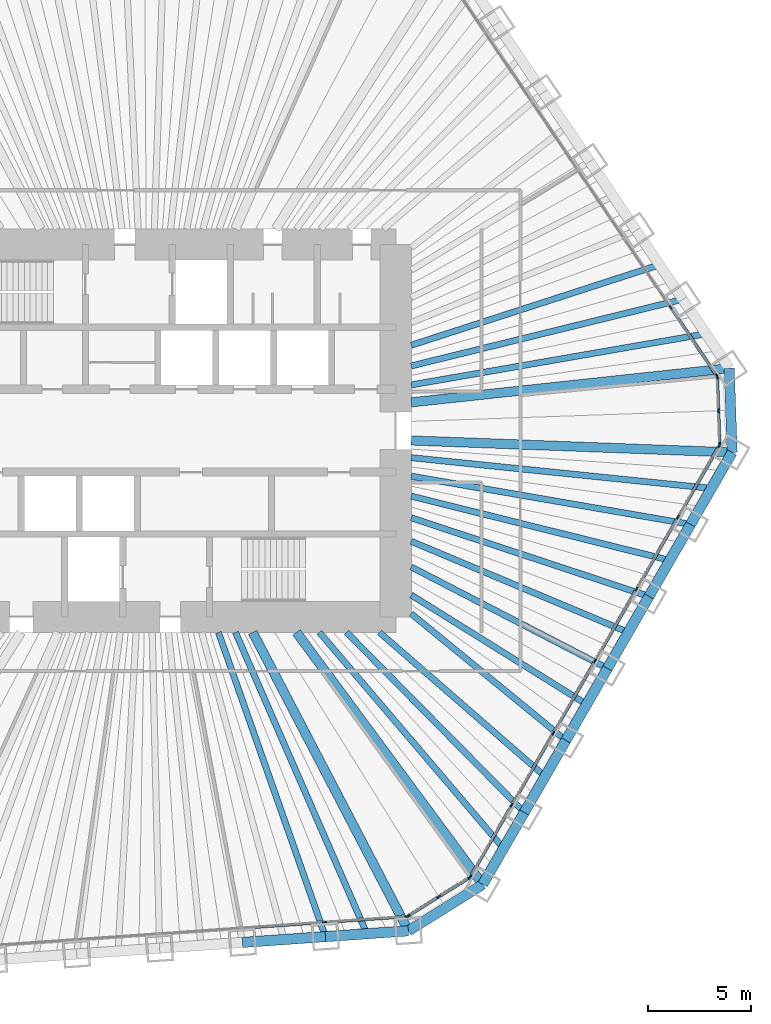
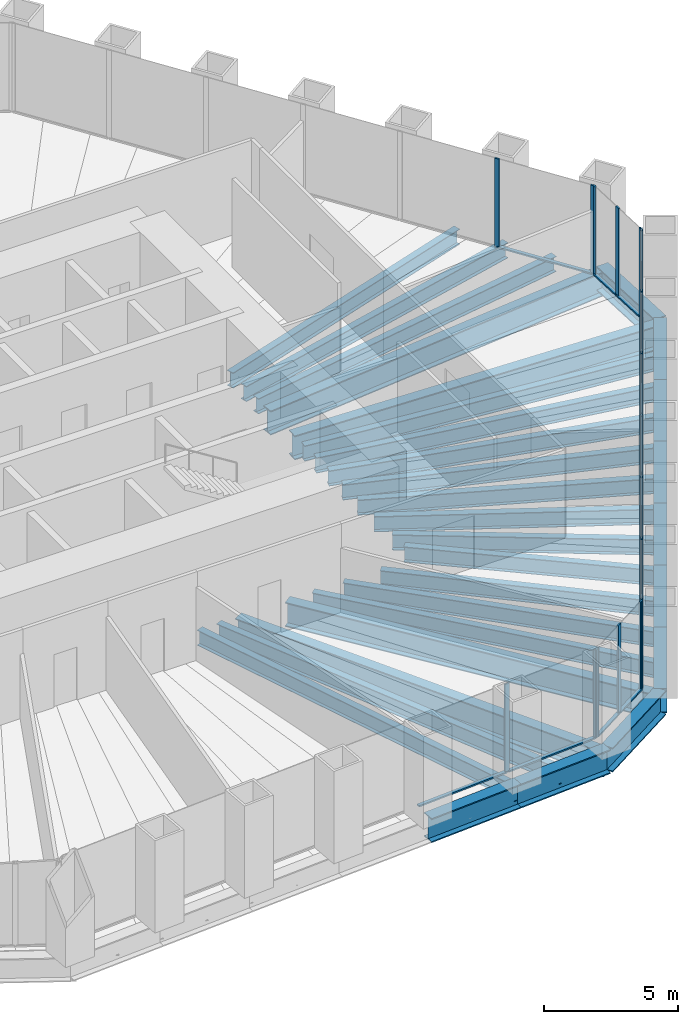
# One storey, part 4 of 13: 30 beams, 30 members, 5 elements without a shape of their own.
"""IFC4 building model written with IfcOpenShell, lengths in metres."""

from ifc_helpers import new_model, si_unit, direction, frame, origin, origin_2d, place, context, subcontext, project, spatial, rectangle, i_section, extrude, material, material_profile, profile_set, type_object, element, aggregate, save


model = new_model("IFC4")

# Units and contexts
model_context = context("Model", 3, precision=1e-05, world=origin(), true_north=direction((0.0, 1.0)))
body_context = subcontext(model_context, "Body", "Model", "MODEL_VIEW")
ifc_project = project(units=[si_unit("LENGTHUNIT", "METRE"), si_unit("AREAUNIT", "SQUARE_METRE"), si_unit("VOLUMEUNIT", "CUBIC_METRE"), si_unit("PLANEANGLEUNIT", "RADIAN"), si_unit("MASSUNIT", "GRAM", prefix="KILO")], contexts=[model_context])

# Site, building, storey
site_placement = place(None, origin())
site = spatial("IfcSite", under=ifc_project, at=site_placement, CompositionType="ELEMENT")
building_placement = place(site_placement, origin())
building = spatial("IfcBuilding", under=site, at=building_placement, Name="Qingtian Harvest Tower", CompositionType="ELEMENT")
storey_placement = place(building_placement, frame((0.0, 0.0, 115.60009765625)))
storey = spatial("IfcBuildingStorey", under=building, at=storey_placement, Name="L23", CompositionType="ELEMENT", Elevation=115.60009765625)

# Beams
ifc_material_1 = material(Name="Steel SM570MC", Category="steel")
ifc_material_profile_1 = material_profile(ifc_material_1, i_section(OverallWidth=0.449951171875, OverallDepth=1.10009765625, WebThickness=0.02197265625, FlangeThickness=0.044921875, at=origin_2d()), Name="H1100x450x22x45")
ifc_profile_set_1 = profile_set([ifc_material_profile_1], Name="Steel SM570MC")
beam_type_1 = type_object("IfcBeamType", Name="Corner floor beam FB8 H1100x450x22x45", PredefinedType="BEAM", material=ifc_profile_set_1)
beam_1_placement = place(storey_placement, frame((28.119384765625, 3.0185546875, -0.72021484375), z_axis=(-0.994287324052, -0.106736672374, 0.0), x_axis=(0.106736672374, -0.994287324052, 0.0)))
element("IfcBeam", 1, at=beam_1_placement, inside=storey, type_object=beam_type_1, Name="Floor beam FB8 NE6", PredefinedType="BEAM", context=body_context, shape_type="SweptSolid", body=[
    extrude(i_section(OverallWidth=0.449951171875, OverallDepth=1.10009765625, WebThickness=0.02197265625, FlangeThickness=0.044921875, at=origin_2d()), origin(), (0.0, 0.0, 1.0), 15.457763671875),
])
beam_2_placement = place(storey_placement, frame((28.261474609375, -1.049560546875, -0.72021484375), z_axis=(-0.999311425285, 0.03710357523, 0.0), x_axis=(-0.03710357523, -0.999311425285, 0.0)))
element("IfcBeam", 2, at=beam_2_placement, inside=storey, type_object=beam_type_1, Name="Floor beam FB8 SE0", PredefinedType="BEAM", context=body_context, shape_type="SweptSolid", body=[
    extrude(i_section(OverallWidth=0.449951171875, OverallDepth=1.10009765625, WebThickness=0.02197265625, FlangeThickness=0.044921875, at=origin_2d()), origin(), (0.0, 0.0, 1.0), 15.522216796875),
])
beam_3_placement = place(storey_placement, frame((16.204345703125, -21.933349609375, -0.72021484375), z_axis=(-0.594215666968, 0.804305751023, 0.0), x_axis=(-0.804305751023, -0.594215666968, 0.0)))
element("IfcBeam", 3, at=beam_3_placement, inside=storey, type_object=beam_type_1, Name="Floor beam FB8 SE6", PredefinedType="BEAM", context=body_context, shape_type="SweptSolid", body=[
    extrude(i_section(OverallWidth=0.449951171875, OverallDepth=1.10009765625, WebThickness=0.02197265625, FlangeThickness=0.044921875, at=origin_2d()), origin(), (0.0, 0.0, 1.0), 15.147705078125),
])
beam_4_placement = place(storey_placement, frame((12.610107421875, -24.17919921875, -0.72021484375), z_axis=(-0.462414751295, 0.886663745613, 0.0), x_axis=(-0.886663745613, -0.462414751295, 0.0)))
element("IfcBeam", 4, at=beam_4_placement, inside=storey, type_object=beam_type_1, Name="Floor beam FB8 S0", PredefinedType="BEAM", context=body_context, shape_type="SweptSolid", body=[
    extrude(i_section(OverallWidth=0.449951171875, OverallDepth=1.10009765625, WebThickness=0.02197265625, FlangeThickness=0.044921875, at=origin_2d()), origin(), (0.0, 0.0, 1.0), 16.273681640625),
])
ifc_material_2 = material(Name="Steel SN490B", Category="steel")
ifc_material_profile_2 = material_profile(ifc_material_2, i_section(OverallWidth=0.300048828125, OverallDepth=0.699951171875, WebThickness=0.012939453125, FlangeThickness=0.02392578125, at=origin_2d()), Name="H700x300x13x24")
ifc_profile_set_2 = profile_set([ifc_material_profile_2], Name="Steel SN490B")
beam_type_2 = type_object("IfcBeamType", Name="Floor beam FB2 H700x300x13x24", PredefinedType="BEAM", material=ifc_profile_set_2)
beam_5_placement = place(storey_placement, frame((25.8720703125, 6.3505859375, -0.52001953125), z_axis=(-0.971170997483, -0.2383839207, 0.0), x_axis=(0.2383839207, -0.971170997483, 0.0)))
element("IfcBeam", 5, at=beam_5_placement, inside=storey, type_object=beam_type_2, Name="Floor beam FB2 NE5", PredefinedType="BEAM", context=body_context, shape_type="SweptSolid", body=[
    extrude(i_section(OverallWidth=0.300048828125, OverallDepth=0.699951171875, WebThickness=0.012939453125, FlangeThickness=0.02392578125, at=origin_2d()), origin(), (0.0, 0.0, 1.0), 13.511474609375),
])
beam_6_placement = place(storey_placement, frame((26.251953125, -4.5302734375, -0.52001953125), z_axis=(-0.985433767107, 0.170059667895, 0.0), x_axis=(-0.170059667895, -0.985433767107, 0.0)))
element("IfcBeam", 6, at=beam_6_placement, inside=storey, type_object=beam_type_2, Name="Floor beam FB2 SE1", PredefinedType="BEAM", context=body_context, shape_type="SweptSolid", body=[
    extrude(i_section(OverallWidth=0.300048828125, OverallDepth=0.699951171875, WebThickness=0.012939453125, FlangeThickness=0.02392578125, at=origin_2d()), origin(), (0.0, 0.0, 1.0), 13.701416015625),
])
beam_7_placement = place(storey_placement, frame((24.242431640625, -8.010986328125, -0.52001953125), z_axis=(-0.949497047328, 0.31377596644, 0.0), x_axis=(-0.31377596644, -0.949497047328, 0.0)))
element("IfcBeam", 7, at=beam_7_placement, inside=storey, type_object=beam_type_2, Name="Floor beam FB2 SE2", PredefinedType="BEAM", context=body_context, shape_type="SweptSolid", body=[
    extrude(i_section(OverallWidth=0.300048828125, OverallDepth=0.699951171875, WebThickness=0.012939453125, FlangeThickness=0.02392578125, at=origin_2d()), origin(), (0.0, 0.0, 1.0), 12.103759765625),
])
beam_8_placement = place(storey_placement, frame((22.23291015625, -11.491455078125, -0.52001953125), z_axis=(-0.888354700773, 0.459157843899, 0.0), x_axis=(-0.459157843899, -0.888354700773, 0.0)))
element("IfcBeam", 8, at=beam_8_placement, inside=storey, type_object=beam_type_2, Name="Floor beam FB2 SE3", PredefinedType="BEAM", context=body_context, shape_type="SweptSolid", body=[
    extrude(i_section(OverallWidth=0.300048828125, OverallDepth=0.699951171875, WebThickness=0.012939453125, FlangeThickness=0.02392578125, at=origin_2d()), origin(), (0.0, 0.0, 1.0), 10.6748046875),
])
beam_9_placement = place(storey_placement, frame((20.223388671875, -14.97216796875, -0.52001953125), z_axis=(-0.773577716445, 0.633701441233, 0.0), x_axis=(-0.633701441233, -0.773577716445, 0.0)))
element("IfcBeam", 9, at=beam_9_placement, inside=storey, type_object=beam_type_2, Name="Floor beam FB2 SE4", PredefinedType="BEAM", context=body_context, shape_type="SweptSolid", body=[
    extrude(i_section(OverallWidth=0.300048828125, OverallDepth=0.699951171875, WebThickness=0.012939453125, FlangeThickness=0.02392578125, at=origin_2d()), origin(), (0.0, 0.0, 1.0), 9.660888671875),
])
beam_10_placement = place(storey_placement, frame((18.2138671875, -18.452880859375, -0.52001953125), z_axis=(-0.702479751847, 0.711703729262, 0.0), x_axis=(-0.711703729262, -0.702479751847, 0.0)))
element("IfcBeam", 10, at=beam_10_placement, inside=storey, type_object=beam_type_2, Name="Floor beam FB2 SE5", PredefinedType="BEAM", context=body_context, shape_type="SweptSolid", body=[
    extrude(i_section(OverallWidth=0.300048828125, OverallDepth=0.699951171875, WebThickness=0.012939453125, FlangeThickness=0.02392578125, at=origin_2d()), origin(), (0.0, 0.0, 1.0), 12.228271484375),
])
beam_11_placement = place(storey_placement, frame((8.600830078125, -24.459716796875, -0.52001953125), z_axis=(-0.331719146802, 0.943378189087, 0.0), x_axis=(-0.943378189087, -0.331719146802, 0.0)))
element("IfcBeam", 11, at=beam_11_placement, inside=storey, type_object=beam_type_2, Name="Floor beam FB2 S1", PredefinedType="BEAM", context=body_context, shape_type="SweptSolid", body=[
    extrude(i_section(OverallWidth=0.300048828125, OverallDepth=0.699951171875, WebThickness=0.012939453125, FlangeThickness=0.02392578125, at=origin_2d()), origin(), (0.0, 0.0, 1.0), 15.592529296875),
])
ifc_material_3 = material(Name="Steel SN490B", Category="steel")
ifc_material_profile_3 = material_profile(ifc_material_3, i_section(OverallWidth=0.300048828125, OverallDepth=0.699951171875, WebThickness=0.012939453125, FlangeThickness=0.02392578125, at=origin_2d()), Name="H700x300x13x24")
ifc_profile_set_3 = profile_set([ifc_material_profile_3], Name="Steel SN490B")
beam_type_3 = type_object("IfcBeamType", Name="Floor joist J2 H700x300x13x24", PredefinedType="JOIST", material=ifc_profile_set_3)
beam_12_placement = place(storey_placement, frame((24.748291015625, 8.016357421875, -0.52001953125), z_axis=(-0.951335907519, -0.308155790249, 0.0), x_axis=(0.308155790249, -0.951335907519, 0.0)))
element("IfcBeam", 12, at=beam_12_placement, inside=storey, type_object=beam_type_3, Name="Floor joist J2 NE4", PredefinedType="JOIST", context=body_context, shape_type="SweptSolid", body=[
    extrude(i_section(OverallWidth=0.300048828125, OverallDepth=0.699951171875, WebThickness=0.012939453125, FlangeThickness=0.02392578125, at=origin_2d()), origin(), (0.0, 0.0, 1.0), 12.612060546875),
])
beam_13_placement = place(storey_placement, frame((26.99560546875, 4.6845703125, -0.52001953125), z_axis=(-0.985273903188, -0.17098343691, 0.0), x_axis=(0.17098343691, -0.985273903188, 0.0)))
element("IfcBeam", 13, at=beam_13_placement, inside=storey, type_object=beam_type_3, Name="Floor joist J2 NE5", PredefinedType="JOIST", context=body_context, shape_type="SweptSolid", body=[
    extrude(i_section(OverallWidth=0.300048828125, OverallDepth=0.699951171875, WebThickness=0.012939453125, FlangeThickness=0.02392578125, at=origin_2d()), origin(), (0.0, 0.0, 1.0), 14.45849609375),
])
beam_14_placement = place(storey_placement, frame((27.2568359375, -2.7900390625, -0.52001953125), z_axis=(-0.994802418411, 0.101824104826, 0.0), x_axis=(-0.101824104826, -0.994802418411, 0.0)))
element("IfcBeam", 14, at=beam_14_placement, inside=storey, type_object=beam_type_3, Name="Floor joist J2 SE0", PredefinedType="JOIST", context=body_context, shape_type="SweptSolid", body=[
    extrude(i_section(OverallWidth=0.300048828125, OverallDepth=0.699951171875, WebThickness=0.012939453125, FlangeThickness=0.02392578125, at=origin_2d()), origin(), (0.0, 0.0, 1.0), 14.58251953125),
])
beam_15_placement = place(storey_placement, frame((25.247314453125, -6.2705078125, -0.52001953125), z_axis=(-0.970517179244, 0.241031958032, 0.0), x_axis=(-0.241031958032, -0.970517179244, 0.0)))
element("IfcBeam", 15, at=beam_15_placement, inside=storey, type_object=beam_type_3, Name="Floor joist J2 SE1", PredefinedType="JOIST", context=body_context, shape_type="SweptSolid", body=[
    extrude(i_section(OverallWidth=0.300048828125, OverallDepth=0.699951171875, WebThickness=0.012939453125, FlangeThickness=0.02392578125, at=origin_2d()), origin(), (0.0, 0.0, 1.0), 12.876953125),
])
beam_16_placement = place(storey_placement, frame((23.237548828125, -9.751220703125, -0.52001953125), z_axis=(-0.922104219626, 0.386941608189, 0.0), x_axis=(-0.386941608189, -0.922104219626, 0.0)))
element("IfcBeam", 16, at=beam_16_placement, inside=storey, type_object=beam_type_3, Name="Floor joist J2 SE2", PredefinedType="JOIST", context=body_context, shape_type="SweptSolid", body=[
    extrude(i_section(OverallWidth=0.300048828125, OverallDepth=0.699951171875, WebThickness=0.012939453125, FlangeThickness=0.02392578125, at=origin_2d()), origin(), (0.0, 0.0, 1.0), 11.37353515625),
])
beam_17_placement = place(storey_placement, frame((21.22802734375, -13.23193359375, -0.52001953125), z_axis=(-0.848631984892, 0.528983699389, 0.0), x_axis=(-0.528983699389, -0.848631984892, 0.0)))
element("IfcBeam", 17, at=beam_17_placement, inside=storey, type_object=beam_type_3, Name="Floor joist J2 SE3", PredefinedType="JOIST", context=body_context, shape_type="SweptSolid", body=[
    extrude(i_section(OverallWidth=0.300048828125, OverallDepth=0.699951171875, WebThickness=0.012939453125, FlangeThickness=0.02392578125, at=origin_2d()), origin(), (0.0, 0.0, 1.0), 9.990234375),
])
beam_18_placement = place(storey_placement, frame((19.218505859375, -16.71240234375, -0.52001953125), z_axis=(-0.754588679317, 0.656198083697, 0.0), x_axis=(-0.656198083697, -0.754588679317, 0.0)))
element("IfcBeam", 18, at=beam_18_placement, inside=storey, type_object=beam_type_3, Name="Floor joist J2 SE4", PredefinedType="JOIST", context=body_context, shape_type="SweptSolid", body=[
    extrude(i_section(OverallWidth=0.300048828125, OverallDepth=0.699951171875, WebThickness=0.012939453125, FlangeThickness=0.02392578125, at=origin_2d()), origin(), (0.0, 0.0, 1.0), 10.610107421875),
])
beam_19_placement = place(storey_placement, frame((17.208984375, -20.193115234375, -0.52001953125), z_axis=(-0.648631797865, 0.76110235238, 0.0), x_axis=(-0.76110235238, -0.648631797865, 0.0)))
element("IfcBeam", 19, at=beam_19_placement, inside=storey, type_object=beam_type_3, Name="Floor joist J2 SE5", PredefinedType="JOIST", context=body_context, shape_type="SweptSolid", body=[
    extrude(i_section(OverallWidth=0.300048828125, OverallDepth=0.699951171875, WebThickness=0.012939453125, FlangeThickness=0.02392578125, at=origin_2d()), origin(), (0.0, 0.0, 1.0), 13.720947265625),
])
beam_20_placement = place(storey_placement, frame((10.60546875, -24.3193359375, -0.52001953125), z_axis=(-0.399732363577, 0.916631898588, 0.0), x_axis=(-0.916631898588, -0.399732363577, 0.0)))
element("IfcBeam", 20, at=beam_20_placement, inside=storey, type_object=beam_type_3, Name="Floor joist J2 S0", PredefinedType="JOIST", context=body_context, shape_type="SweptSolid", body=[
    extrude(i_section(OverallWidth=0.300048828125, OverallDepth=0.699951171875, WebThickness=0.012939453125, FlangeThickness=0.02392578125, at=origin_2d()), origin(), (0.0, 0.0, 1.0), 15.89453125),
])

# Curtain wall, members
ifc_material_4 = material(Name="Bronze-anodised aluminium curtain wall", Category="aluminium")
curtain_wall_type = type_object("IfcCurtainWallType", Name="Curtain wall CW4 office", PredefinedType="USERDEFINED", material=ifc_material_4)
curtain_wall_1_placement = place(storey_placement, origin())
curtain_wall_1 = element("IfcCurtainWall", 21, at=curtain_wall_1_placement, inside=storey, type_object=curtain_wall_type, Name="Curtain wall CW4 L23 NE0-5", ObjectType="RECESSED CURTAIN WALL", PredefinedType="USERDEFINED")
ifc_material_5 = material(Name="Bronze-anodised aluminium mullion", Category="aluminium")
ifc_material_profile_4 = material_profile(ifc_material_5, rectangle(XDim=0.06494140625, YDim=0.199951171875, at=origin_2d()), Name="AL 65x200")
ifc_profile_set_4 = profile_set([ifc_material_profile_4], Name="Bronze-anodised aluminium mullion")
member_type_1 = type_object("IfcMemberType", Name="Mullion CWM 65x200", PredefinedType="MULLION", material=ifc_profile_set_4)
member_1_placement = place(storey_placement, frame((25.291748046875, 5.958984375, 0.0), z_axis=(0.0, 0.0, 1.0), x_axis=(0.829037572555, 0.559192903471, 0.0)))
member_1 = element("IfcMember", 22, at=member_1_placement, type_object=member_type_1, Name="CW4 mullion 6", PredefinedType="MULLION", context=body_context, shape_type="SweptSolid", body=[
    extrude(rectangle(XDim=0.06494140625, YDim=0.199951171875, at=origin_2d()), origin(), (0.0, 0.0, 1.0), 4.02978515625),
])
member_2_placement = place(storey_placement, frame((27.52099609375, 2.654052734375, 0.0), z_axis=(0.0, 0.0, 1.0), x_axis=(0.829037572555, 0.559192903471, 0.0)))
member_2 = element("IfcMember", 23, at=member_2_placement, type_object=member_type_1, Name="CW4 mullion 7", PredefinedType="MULLION", context=body_context, shape_type="SweptSolid", body=[
    extrude(rectangle(XDim=0.06494140625, YDim=0.199951171875, at=origin_2d()), origin(), (0.0, 0.0, 1.0), 4.02978515625),
])

curtain_wall_2_placement = place(storey_placement, origin())
curtain_wall_2 = element("IfcCurtainWall", 24, at=curtain_wall_2_placement, inside=storey, type_object=curtain_wall_type, Name="Curtain wall CW4 L23 NEC", ObjectType="RECESSED CURTAIN WALL", PredefinedType="USERDEFINED")
member_3_placement = place(storey_placement, frame((27.540283203125, 2.594482421875, 0.0), z_axis=(0.0, 0.0, 1.0), x_axis=(0.999390827019, 0.034899496703, 0.0)))
member_3 = element("IfcMember", 25, at=member_3_placement, type_object=member_type_1, Name="CW4 mullion 1", PredefinedType="MULLION", context=body_context, shape_type="SweptSolid", body=[
    extrude(rectangle(XDim=0.06494140625, YDim=0.199951171875, at=origin_2d()), origin(), (0.0, 0.0, 1.0), 4.02978515625),
])
member_4_placement = place(storey_placement, frame((27.59716796875, 0.963623046875, 0.0), z_axis=(0.0, 0.0, 1.0), x_axis=(0.999390827019, 0.034899496703, 0.0)))
member_4 = element("IfcMember", 26, at=member_4_placement, type_object=member_type_1, Name="CW4 mullion 2", PredefinedType="MULLION", context=body_context, shape_type="SweptSolid", body=[
    extrude(rectangle(XDim=0.06494140625, YDim=0.199951171875, at=origin_2d()), origin(), (0.0, 0.0, 1.0), 4.02978515625),
])
member_5_placement = place(storey_placement, frame((27.654052734375, -0.667236328125, 0.0), z_axis=(0.0, 0.0, 1.0), x_axis=(0.999390827019, 0.034899496703, 0.0)))
member_5 = element("IfcMember", 27, at=member_5_placement, type_object=member_type_1, Name="CW4 mullion 3", PredefinedType="MULLION", context=body_context, shape_type="SweptSolid", body=[
    extrude(rectangle(XDim=0.06494140625, YDim=0.199951171875, at=origin_2d()), origin(), (0.0, 0.0, 1.0), 4.02978515625),
])

curtain_wall_3_placement = place(storey_placement, origin())
curtain_wall_3 = element("IfcCurtainWall", 28, at=curtain_wall_3_placement, inside=storey, type_object=curtain_wall_type, Name="Curtain wall CW4 L23 SE0-5", ObjectType="RECESSED CURTAIN WALL", PredefinedType="USERDEFINED")
member_6_placement = place(storey_placement, frame((27.638916015625, -0.727783203125, 0.0), z_axis=(0.0, 0.0, 1.0), x_axis=(0.866025403784, -0.5, 0.0)))
member_6 = element("IfcMember", 29, at=member_6_placement, type_object=member_type_1, Name="CW4 mullion 1", PredefinedType="MULLION", context=body_context, shape_type="SweptSolid", body=[
    extrude(rectangle(XDim=0.06494140625, YDim=0.199951171875, at=origin_2d()), origin(), (0.0, 0.0, 1.0), 4.02978515625),
])
member_7_placement = place(storey_placement, frame((25.645751953125, -4.18017578125, 0.0), z_axis=(0.0, 0.0, 1.0), x_axis=(0.866025403784, -0.5, 0.0)))
member_7 = element("IfcMember", 30, at=member_7_placement, type_object=member_type_1, Name="CW4 mullion 2", PredefinedType="MULLION", context=body_context, shape_type="SweptSolid", body=[
    extrude(rectangle(XDim=0.06494140625, YDim=0.199951171875, at=origin_2d()), origin(), (0.0, 0.0, 1.0), 4.02978515625),
])
member_8_placement = place(storey_placement, frame((23.63623046875, -7.660888671875, 0.0), z_axis=(0.0, 0.0, 1.0), x_axis=(0.866025403784, -0.5, 0.0)))
member_8 = element("IfcMember", 31, at=member_8_placement, type_object=member_type_1, Name="CW4 mullion 3", PredefinedType="MULLION", context=body_context, shape_type="SweptSolid", body=[
    extrude(rectangle(XDim=0.06494140625, YDim=0.199951171875, at=origin_2d()), origin(), (0.0, 0.0, 1.0), 4.02978515625),
])
member_9_placement = place(storey_placement, frame((21.626708984375, -11.1416015625, 0.0), z_axis=(0.0, 0.0, 1.0), x_axis=(0.866025403784, -0.5, 0.0)))
member_9 = element("IfcMember", 32, at=member_9_placement, type_object=member_type_1, Name="CW4 mullion 4", PredefinedType="MULLION", context=body_context, shape_type="SweptSolid", body=[
    extrude(rectangle(XDim=0.06494140625, YDim=0.199951171875, at=origin_2d()), origin(), (0.0, 0.0, 1.0), 4.02978515625),
])
member_10_placement = place(storey_placement, frame((19.6171875, -14.6220703125, 0.0), z_axis=(0.0, 0.0, 1.0), x_axis=(0.866025403784, -0.5, 0.0)))
member_10 = element("IfcMember", 33, at=member_10_placement, type_object=member_type_1, Name="CW4 mullion 5", PredefinedType="MULLION", context=body_context, shape_type="SweptSolid", body=[
    extrude(rectangle(XDim=0.06494140625, YDim=0.199951171875, at=origin_2d()), origin(), (0.0, 0.0, 1.0), 4.02978515625),
])
member_11_placement = place(storey_placement, frame((17.607666015625, -18.102783203125, 0.0), z_axis=(0.0, 0.0, 1.0), x_axis=(0.866025403784, -0.5, 0.0)))
member_11 = element("IfcMember", 34, at=member_11_placement, type_object=member_type_1, Name="CW4 mullion 6", PredefinedType="MULLION", context=body_context, shape_type="SweptSolid", body=[
    extrude(rectangle(XDim=0.06494140625, YDim=0.199951171875, at=origin_2d()), origin(), (0.0, 0.0, 1.0), 4.02978515625),
])
member_12_placement = place(storey_placement, frame((15.6142578125, -21.55517578125, 0.0), z_axis=(0.0, 0.0, 1.0), x_axis=(0.866025403784, -0.5, 0.0)))
member_12 = element("IfcMember", 35, at=member_12_placement, type_object=member_type_1, Name="CW4 mullion 7", PredefinedType="MULLION", context=body_context, shape_type="SweptSolid", body=[
    extrude(rectangle(XDim=0.06494140625, YDim=0.199951171875, at=origin_2d()), origin(), (0.0, 0.0, 1.0), 4.02978515625),
])

curtain_wall_4_placement = place(storey_placement, origin())
curtain_wall_4 = element("IfcCurtainWall", 36, at=curtain_wall_4_placement, inside=storey, type_object=curtain_wall_type, Name="Curtain wall CW4 L23 SEC", ObjectType="RECESSED CURTAIN WALL", PredefinedType="USERDEFINED")
member_13_placement = place(storey_placement, frame((15.570556640625, -21.6005859375, 0.0), z_axis=(0.0, 0.0, 1.0), x_axis=(0.529919264233, -0.848048096156, 0.0)))
member_13 = element("IfcMember", 37, at=member_13_placement, type_object=member_type_1, Name="CW4 mullion 1", PredefinedType="MULLION", context=body_context, shape_type="SweptSolid", body=[
    extrude(rectangle(XDim=0.06494140625, YDim=0.199951171875, at=origin_2d()), origin(), (0.0, 0.0, 1.0), 4.02978515625),
])
member_14_placement = place(storey_placement, frame((14.07958984375, -22.5322265625, 0.0), z_axis=(0.0, 0.0, 1.0), x_axis=(0.529919264233, -0.848048096156, 0.0)))
member_14 = element("IfcMember", 38, at=member_14_placement, type_object=member_type_1, Name="CW4 mullion 2", PredefinedType="MULLION", context=body_context, shape_type="SweptSolid", body=[
    extrude(rectangle(XDim=0.06494140625, YDim=0.199951171875, at=origin_2d()), origin(), (0.0, 0.0, 1.0), 4.02978515625),
])
member_15_placement = place(storey_placement, frame((12.5888671875, -23.4638671875, 0.0), z_axis=(0.0, 0.0, 1.0), x_axis=(0.529919264233, -0.848048096156, 0.0)))
member_15 = element("IfcMember", 39, at=member_15_placement, type_object=member_type_1, Name="CW4 mullion 3", PredefinedType="MULLION", context=body_context, shape_type="SweptSolid", body=[
    extrude(rectangle(XDim=0.06494140625, YDim=0.199951171875, at=origin_2d()), origin(), (0.0, 0.0, 1.0), 4.02978515625),
])

curtain_wall_5_placement = place(storey_placement, origin())
curtain_wall_5 = element("IfcCurtainWall", 40, at=curtain_wall_5_placement, inside=storey, type_object=curtain_wall_type, Name="Curtain wall CW4 L23 S0-5", ObjectType="RECESSED CURTAIN WALL", PredefinedType="USERDEFINED")
member_16_placement = place(storey_placement, frame((12.52880859375, -23.483154296875, 0.0), z_axis=(0.0, 0.0, 1.0), x_axis=(0.069756473744, -0.99756405026, 0.0)))
member_16 = element("IfcMember", 41, at=member_16_placement, type_object=member_type_1, Name="CW4 mullion 1", PredefinedType="MULLION", context=body_context, shape_type="SweptSolid", body=[
    extrude(rectangle(XDim=0.06494140625, YDim=0.199951171875, at=origin_2d()), origin(), (0.0, 0.0, 1.0), 4.02978515625),
])
member_17_placement = place(storey_placement, frame((8.552001953125, -23.76123046875, 0.0), z_axis=(0.0, 0.0, 1.0), x_axis=(0.069756473744, -0.99756405026, 0.0)))
member_17 = element("IfcMember", 42, at=member_17_placement, type_object=member_type_1, Name="CW4 mullion 2", PredefinedType="MULLION", context=body_context, shape_type="SweptSolid", body=[
    extrude(rectangle(XDim=0.06494140625, YDim=0.199951171875, at=origin_2d()), origin(), (0.0, 0.0, 1.0), 4.02978515625),
])

# Beams
ifc_material_6 = material(Name="Steel SM570MC", Category="steel")
ifc_material_profile_5 = material_profile(ifc_material_6, i_section(OverallWidth=0.5, OverallDepth=1.10009765625, WebThickness=0.02490234375, FlangeThickness=0.050048828125, at=origin_2d()), Name="H1100x500x25x50")
ifc_profile_set_5 = profile_set([ifc_material_profile_5], Name="Steel SM570MC")
beam_type_4 = type_object("IfcBeamType", Name="Spandrel beam SB2 H1100x500x25x50", PredefinedType="SPANDREL", material=ifc_profile_set_5)
beam_21_placement = place(storey_placement, frame((28.119384765625, 3.0185546875, -0.550048828125), z_axis=(0.03490639867, -0.999390585973, 0.0), x_axis=(0.999390585973, 0.03490639867, 0.0)))
element("IfcBeam", 43, at=beam_21_placement, inside=storey, type_object=beam_type_4, Name="Spandrel SB2 NEC", PredefinedType="SPANDREL", context=body_context, shape_type="SweptSolid", body=[
    extrude(i_section(OverallWidth=0.5, OverallDepth=1.10009765625, WebThickness=0.02490234375, FlangeThickness=0.050048828125, at=origin_2d()), origin(), (0.0, 0.0, 1.0), 4.070556640625),
])
for number, where, z_axis, x_axis, name in (
    (44, (28.261474609375, -1.049560546875, -0.550048828125), (-0.499987116613, -0.866032841884, 0.0), (0.866032841884, -0.499987116613, 0.0), "Spandrel SB2 SE0"),
    (45, (26.251953125, -4.5302734375, -0.550048828125), (-0.499987116613, -0.866032841884, 0.0), (0.866032841884, -0.499987116613, 0.0), "Spandrel SB2 SE1"),
    (46, (24.242431640625, -8.010986328125, -0.550048828125), (-0.500013420409, -0.866017655369, 0.0), (0.866017655369, -0.500013420409, 0.0), "Spandrel SB2 SE2"),
    (47, (22.23291015625, -11.491455078125, -0.550048828125), (-0.499987116613, -0.866032841884, 0.0), (0.866032841884, -0.499987116613, 0.0), "Spandrel SB2 SE3"),
    (48, (20.223388671875, -14.97216796875, -0.550048828125), (-0.499987116613, -0.866032841884, 0.0), (0.866032841884, -0.499987116613, 0.0), "Spandrel SB2 SE4"),
    (49, (18.2138671875, -18.452880859375, -0.550048828125), (-0.500013420409, -0.866017655369, 0.0), (0.866017655369, -0.500013420409, 0.0), "Spandrel SB2 SE5"),
):
    element("IfcBeam", number, at=place(storey_placement, frame(where, z_axis=z_axis, x_axis=x_axis)), inside=storey, type_object=beam_type_4, Name=name, PredefinedType="SPANDREL", context=body_context, shape_type="SweptSolid", body=[
        extrude(i_section(OverallWidth=0.5, OverallDepth=1.10009765625, WebThickness=0.02490234375, FlangeThickness=0.050048828125, at=origin_2d()), origin(), (0.0, 0.0, 1.0), 4.01904296875),
    ])
beam_22_placement = place(storey_placement, frame((16.204345703125, -21.933349609375, -0.550048828125), z_axis=(-0.848056550838, -0.529905733675, 0.0), x_axis=(0.529905733675, -0.848056550838, 0.0)))
element("IfcBeam", 50, at=beam_22_placement, inside=storey, type_object=beam_type_4, Name="Spandrel SB2 SEC", PredefinedType="SPANDREL", context=body_context, shape_type="SweptSolid", body=[
    extrude(i_section(OverallWidth=0.5, OverallDepth=1.10009765625, WebThickness=0.02490234375, FlangeThickness=0.050048828125, at=origin_2d()), origin(), (0.0, 0.0, 1.0), 4.23828125),
])
for number, where, z_axis, x_axis, name in (
    (51, (12.610107421875, -24.17919921875, -0.550048828125), (-0.997561251588, -0.069796485086, 0.0), (0.069796485086, -0.997561251588, 0.0), "Spandrel SB2 S0"),
    (52, (8.600830078125, -24.459716796875, -0.550048828125), (-0.997565479251, -0.069736035208, 0.0), (0.069736035208, -0.997565479251, 0.0), "Spandrel SB2 S1"),
):
    element("IfcBeam", number, at=place(storey_placement, frame(where, z_axis=z_axis, x_axis=x_axis)), inside=storey, type_object=beam_type_4, Name=name, PredefinedType="SPANDREL", context=body_context, shape_type="SweptSolid", body=[
        extrude(i_section(OverallWidth=0.5, OverallDepth=1.10009765625, WebThickness=0.02490234375, FlangeThickness=0.050048828125, at=origin_2d()), origin(), (0.0, 0.0, 1.0), 4.01904296875),
    ])

# Member
ifc_material_7 = material(Name="Bronze-anodised aluminium transom", Category="aluminium")
ifc_material_profile_6 = material_profile(ifc_material_7, rectangle(XDim=0.14990234375, YDim=0.06494140625, at=origin_2d()), Name="AL 65x150")
ifc_profile_set_6 = profile_set([ifc_material_profile_6], Name="Bronze-anodised aluminium transom")
member_type_2 = type_object("IfcMemberType", Name="Transom CWT 65x150", PredefinedType="USERDEFINED", material=ifc_profile_set_6)
member_18_placement = place(storey_placement, frame((25.309814453125, 5.93212890625, 0.032470703125), z_axis=(0.559174507936, -0.829049980203, 0.0), x_axis=(0.829049980203, 0.559174507936, 0.0)))
member_18 = element("IfcMember", 53, at=member_18_placement, type_object=member_type_2, Name="CW4 transom 6.1", ObjectType="TRANSOM", PredefinedType="USERDEFINED", context=body_context, shape_type="SweptSolid", body=[
    extrude(rectangle(XDim=0.14990234375, YDim=0.06494140625, at=origin_2d()), origin(), (0.0, 0.0, 1.0), 3.921630859375),
])

aggregate(curtain_wall_1, [member_1, member_2, member_18])

member_19_placement = place(storey_placement, frame((27.541259765625, 2.56201171875, 0.032470703125), z_axis=(0.034902326647, -0.999390728191, 0.0), x_axis=(0.999390728191, 0.034902326647, 0.0)))
member_19 = element("IfcMember", 54, at=member_19_placement, type_object=member_type_2, Name="CW4 transom 1.1", ObjectType="TRANSOM", PredefinedType="USERDEFINED", context=body_context, shape_type="SweptSolid", body=[
    extrude(rectangle(XDim=0.14990234375, YDim=0.06494140625, at=origin_2d()), origin(), (0.0, 0.0, 1.0), 1.56689453125),
])

member_20_placement = place(storey_placement, frame((27.598388671875, 0.93115234375, 0.032470703125), z_axis=(0.034902326647, -0.999390728191, 0.0), x_axis=(0.999390728191, 0.034902326647, 0.0)))
member_20 = element("IfcMember", 55, at=member_20_placement, type_object=member_type_2, Name="CW4 transom 2.1", ObjectType="TRANSOM", PredefinedType="USERDEFINED", context=body_context, shape_type="SweptSolid", body=[
    extrude(rectangle(XDim=0.14990234375, YDim=0.06494140625, at=origin_2d()), origin(), (0.0, 0.0, 1.0), 1.56689453125),
])

aggregate(curtain_wall_2, [member_3, member_4, member_5, member_19, member_20])

member_21_placement = place(storey_placement, frame((27.622802734375, -0.755859375, 0.032470703125), z_axis=(-0.499975738995, -0.866039410429, 0.0), x_axis=(0.866039410429, -0.499975738995, 0.0)))
member_21 = element("IfcMember", 56, at=member_21_placement, type_object=member_type_2, Name="CW4 transom 1.1", ObjectType="TRANSOM", PredefinedType="USERDEFINED", context=body_context, shape_type="SweptSolid", body=[
    extrude(rectangle(XDim=0.14990234375, YDim=0.06494140625, at=origin_2d()), origin(), (0.0, 0.0, 1.0), 3.921630859375),
])

member_22_placement = place(storey_placement, frame((25.62939453125, -4.20849609375, 0.032470703125), z_axis=(-0.500003941941, -0.866023127892, 0.0), x_axis=(0.866023127892, -0.500003941941, 0.0)))
member_22 = element("IfcMember", 57, at=member_22_placement, type_object=member_type_2, Name="CW4 transom 2.1", ObjectType="TRANSOM", PredefinedType="USERDEFINED", context=body_context, shape_type="SweptSolid", body=[
    extrude(rectangle(XDim=0.14990234375, YDim=0.06494140625, at=origin_2d()), origin(), (0.0, 0.0, 1.0), 3.9541015625),
])

member_23_placement = place(storey_placement, frame((23.619873046875, -7.68896484375, 0.032470703125), z_axis=(-0.500003941941, -0.866023127892, 0.0), x_axis=(0.866023127892, -0.500003941941, 0.0)))
member_23 = element("IfcMember", 58, at=member_23_placement, type_object=member_type_2, Name="CW4 transom 3.1", ObjectType="TRANSOM", PredefinedType="USERDEFINED", context=body_context, shape_type="SweptSolid", body=[
    extrude(rectangle(XDim=0.14990234375, YDim=0.06494140625, at=origin_2d()), origin(), (0.0, 0.0, 1.0), 3.9541015625),
])

member_24_placement = place(storey_placement, frame((21.6103515625, -11.169677734375, 0.032470703125), z_axis=(-0.500003941941, -0.866023127892, 0.0), x_axis=(0.866023127892, -0.500003941941, 0.0)))
member_24 = element("IfcMember", 59, at=member_24_placement, type_object=member_type_2, Name="CW4 transom 4.1", ObjectType="TRANSOM", PredefinedType="USERDEFINED", context=body_context, shape_type="SweptSolid", body=[
    extrude(rectangle(XDim=0.14990234375, YDim=0.06494140625, at=origin_2d()), origin(), (0.0, 0.0, 1.0), 3.9541015625),
])

member_25_placement = place(storey_placement, frame((19.600830078125, -14.650390625, 0.032470703125), z_axis=(-0.500003941941, -0.866023127892, 0.0), x_axis=(0.866023127892, -0.500003941941, 0.0)))
member_25 = element("IfcMember", 60, at=member_25_placement, type_object=member_type_2, Name="CW4 transom 5.1", ObjectType="TRANSOM", PredefinedType="USERDEFINED", context=body_context, shape_type="SweptSolid", body=[
    extrude(rectangle(XDim=0.14990234375, YDim=0.06494140625, at=origin_2d()), origin(), (0.0, 0.0, 1.0), 3.9541015625),
])

member_26_placement = place(storey_placement, frame((17.59130859375, -18.130859375, 0.032470703125), z_axis=(-0.499975738995, -0.866039410429, 0.0), x_axis=(0.866039410429, -0.499975738995, 0.0)))
member_26 = element("IfcMember", 61, at=member_26_placement, type_object=member_type_2, Name="CW4 transom 6.1", ObjectType="TRANSOM", PredefinedType="USERDEFINED", context=body_context, shape_type="SweptSolid", body=[
    extrude(rectangle(XDim=0.14990234375, YDim=0.06494140625, at=origin_2d()), origin(), (0.0, 0.0, 1.0), 3.921630859375),
])

aggregate(curtain_wall_3, [member_6, member_7, member_8, member_9, member_10, member_11, member_12, member_21, member_22, member_23, member_24, member_25, member_26])

member_27_placement = place(storey_placement, frame((15.54296875, -21.617919921875, 0.032470703125), z_axis=(-0.848103609743, -0.529830413568, 0.0), x_axis=(0.529830413568, -0.848103609743, 0.0)))
member_27 = element("IfcMember", 62, at=member_27_placement, type_object=member_type_2, Name="CW4 transom 1.1", ObjectType="TRANSOM", PredefinedType="USERDEFINED", context=body_context, shape_type="SweptSolid", body=[
    extrude(rectangle(XDim=0.14990234375, YDim=0.06494140625, at=origin_2d()), origin(), (0.0, 0.0, 1.0), 1.69287109375),
])

member_28_placement = place(storey_placement, frame((14.052001953125, -22.54931640625, 0.032470703125), z_axis=(-0.847998304005, -0.529998940003, 0.0), x_axis=(0.529998940003, -0.847998304005, 0.0)))
member_28 = element("IfcMember", 63, at=member_28_placement, type_object=member_type_2, Name="CW4 transom 2.1", ObjectType="TRANSOM", PredefinedType="USERDEFINED", context=body_context, shape_type="SweptSolid", body=[
    extrude(rectangle(XDim=0.14990234375, YDim=0.06494140625, at=origin_2d()), origin(), (0.0, 0.0, 1.0), 1.69287109375),
])

aggregate(curtain_wall_4, [member_13, member_14, member_15, member_27, member_28])

member_29_placement = place(storey_placement, frame((12.496337890625, -23.485595703125, 0.032470703125), z_axis=(-0.99756594446, -0.069729380128, 0.0), x_axis=(0.069729380128, -0.99756594446, 0.0)))
member_29 = element("IfcMember", 64, at=member_29_placement, type_object=member_type_2, Name="CW4 transom 1.1", ObjectType="TRANSOM", PredefinedType="USERDEFINED", context=body_context, shape_type="SweptSolid", body=[
    extrude(rectangle(XDim=0.14990234375, YDim=0.06494140625, at=origin_2d()), origin(), (0.0, 0.0, 1.0), 3.92138671875),
])

member_30_placement = place(storey_placement, frame((8.51953125, -23.763671875, 0.032470703125), z_axis=(-0.997567218353, -0.069711153102, 0.0), x_axis=(0.069711153102, -0.997567218353, 0.0)))
member_30 = element("IfcMember", 65, at=member_30_placement, type_object=member_type_2, Name="CW4 transom 2.1", ObjectType="TRANSOM", PredefinedType="USERDEFINED", context=body_context, shape_type="SweptSolid", body=[
    extrude(rectangle(XDim=0.14990234375, YDim=0.06494140625, at=origin_2d()), origin(), (0.0, 0.0, 1.0), 3.953857421875),
])

aggregate(curtain_wall_5, [member_16, member_17, member_29, member_30])

save(model, "model.ifc")
